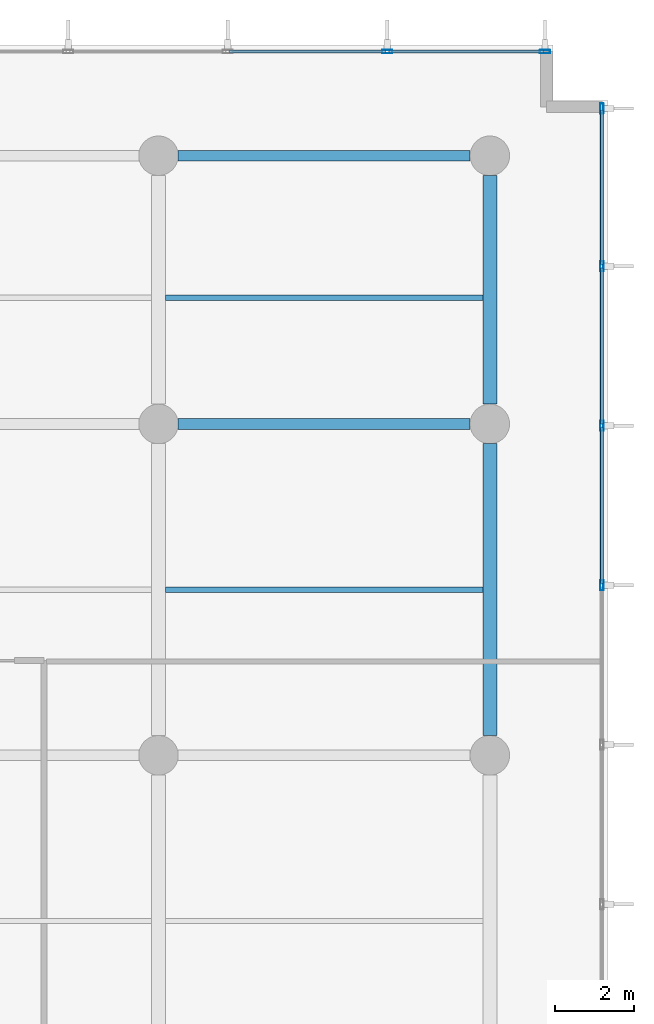
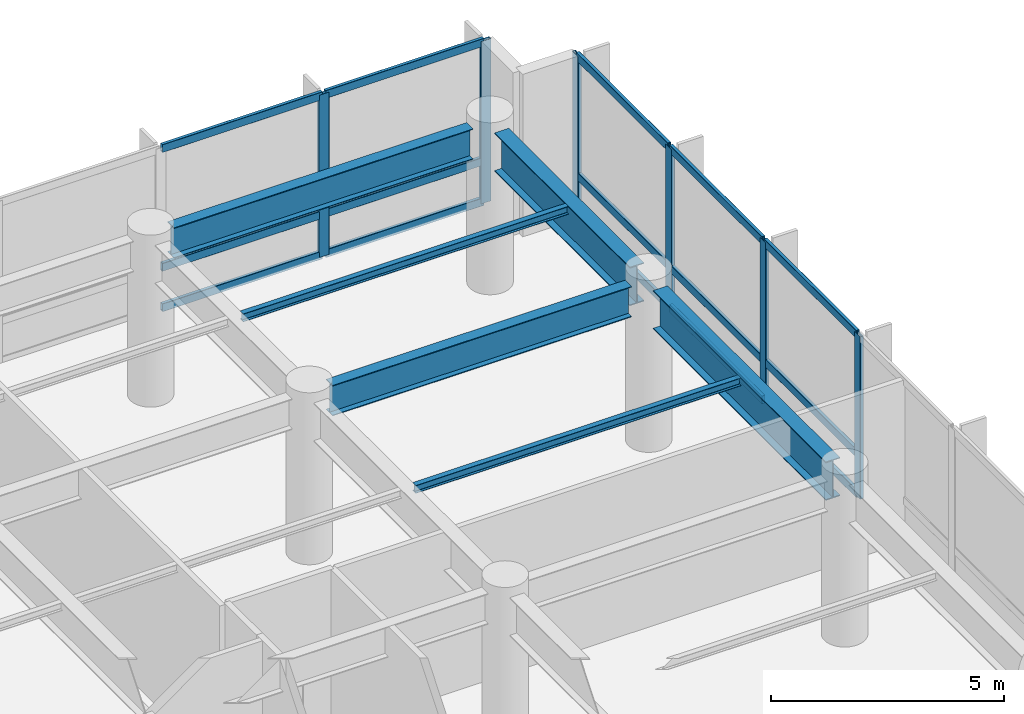
# One storey, part 12 of 26: 21 members, 6 beams, 2 elements without a shape of their own.
"""IFC4 building model written with IfcOpenShell, lengths in metres."""

from ifc_helpers import new_model, si_unit, direction, frame, origin, origin_2d, place, context, subcontext, project, spatial, hollow_rectangle, i_section, extrude, material, layer, layer_set, material_profile, profile_set, type_object, element, aggregate, save


model = new_model("IFC4")

# Units and contexts
model_context = context("Model", 3, precision=1e-05, world=origin(), true_north=direction((0.0, 1.0)))
body_context = subcontext(model_context, "Body", "Model", "MODEL_VIEW")
ifc_project = project(units=[si_unit("LENGTHUNIT", "METRE"), si_unit("AREAUNIT", "SQUARE_METRE"), si_unit("VOLUMEUNIT", "CUBIC_METRE"), si_unit("PLANEANGLEUNIT", "RADIAN"), si_unit("MASSUNIT", "GRAM", prefix="KILO")], contexts=[model_context])

# Site, building, storey
site_placement = place(None, origin())
site = spatial("IfcSite", under=ifc_project, at=site_placement, CompositionType="ELEMENT")
building_placement = place(site_placement, origin())
building = spatial("IfcBuilding", under=site, at=building_placement, Name="Varnakote Quay Hospital", CompositionType="ELEMENT")
storey_placement = place(building_placement, frame((0.0, 0.0, 13.5)))
storey = spatial("IfcBuildingStorey", under=building, at=storey_placement, Name="L03", CompositionType="ELEMENT", Elevation=13.5)

# Beams
ifc_material_1 = material(Name="Structural steel AS/NZS 3678 Grade 350 (fy 340 MPa)", Category="steel")
ifc_material_profile_1 = material_profile(ifc_material_1, i_section(OverallWidth=0.35009765625, OverallDepth=1.010009765625, WebThickness=0.01611328125, FlangeThickness=0.02490234375, at=origin_2d()), Name="1000WB258")
ifc_profile_set_1 = profile_set([ifc_material_profile_1], Name="Structural steel AS/NZS 3678 Grade 350 (fy 340 MPa)")
beam_type_1 = type_object("IfcBeamType", Name="BM-STL-1000WB258", PredefinedType="BEAM", material=ifc_profile_set_1)
beam_1_placement = place(storey_placement, frame((84.0, 29.300048828125, 3.7451171875), z_axis=(0.0, 1.0, 0.0), x_axis=(-1.0, 0.0, 0.0)))
element("IfcBeam", 1, at=beam_1_placement, inside=storey, type_object=beam_type_1, Name="L03 Primary Tie Beam", PredefinedType="BEAM", context=body_context, shape_type="SweptSolid", body=[
    extrude(i_section(OverallWidth=0.35009765625, OverallDepth=1.010009765625, WebThickness=0.01611328125, FlangeThickness=0.02490234375, at=origin_2d()), origin(), (0.0, 0.0, 1.0), 7.39990234375),
])
beam_2_placement = place(storey_placement, frame((84.0, 37.699951171875, 3.7451171875), z_axis=(0.0, 1.0, 0.0), x_axis=(-1.0, 0.0, 0.0)))
element("IfcBeam", 2, at=beam_2_placement, inside=storey, type_object=beam_type_1, Name="L03 Primary Tie Beam", PredefinedType="BEAM", context=body_context, shape_type="SweptSolid", body=[
    extrude(i_section(OverallWidth=0.35009765625, OverallDepth=1.010009765625, WebThickness=0.01611328125, FlangeThickness=0.02490234375, at=origin_2d()), origin(), (0.0, 0.0, 1.0), 5.800048828125),
])
ifc_material_2 = material(Name="Structural steel AS/NZS 3678 Grade 350 (fy 340 MPa)", Category="steel")
ifc_material_profile_2 = material_profile(ifc_material_2, i_section(OverallWidth=0.27490234375, OverallDepth=0.800048828125, WebThickness=0.010009765625, FlangeThickness=0.02001953125, at=origin_2d()), Name="800WB146")
ifc_profile_set_2 = profile_set([ifc_material_profile_2], Name="Structural steel AS/NZS 3678 Grade 350 (fy 340 MPa)")
beam_type_2 = type_object("IfcBeamType", Name="BM-STL-800WB146", PredefinedType="BEAM", material=ifc_profile_set_2)
for number, where, z_axis, x_axis, name in (
    (3, (76.10009765625, 37.199951171875, 3.85009765625), (1.0, 0.0, 0.0), (0.0, 1.0, 0.0), "L03 Primary Floor Beam"),
    (4, (76.10009765625, 44.0, 3.85009765625), (1.0, 0.0, 0.0), (0.0, 1.0, 0.0), "L03 Primary Floor Beam"),
):
    element("IfcBeam", number, at=place(storey_placement, frame(where, z_axis=z_axis, x_axis=x_axis)), inside=storey, type_object=beam_type_2, Name=name, PredefinedType="BEAM", context=body_context, shape_type="SweptSolid", body=[
        extrude(i_section(OverallWidth=0.27490234375, OverallDepth=0.800048828125, WebThickness=0.010009765625, FlangeThickness=0.02001953125, at=origin_2d()), origin(), (0.0, 0.0, 1.0), 7.39990234375),
    ])

# Curtain wall, members
ifc_material_3 = material(Name="Anodised aluminium 6063-T6 Bronze", Category="aluminium")
ifc_layer = layer(ifc_material_3, 0.175048828125)
ifc_layer_set = layer_set([ifc_layer], Name="Anodised aluminium 6063-T6 Bronze")
curtain_wall_type = type_object("IfcCurtainWallType", Name="CW-SYS-1", PredefinedType="NOTDEFINED", material=ifc_layer_set)
curtain_wall_1_placement = place(storey_placement, origin())
curtain_wall_1 = element("IfcCurtainWall", 5, at=curtain_wall_1_placement, inside=storey, type_object=curtain_wall_type, Name="L03 Unitised Bronze Curtain Wall 1", PredefinedType="NOTDEFINED")
ifc_material_4 = material(Name="Anodised aluminium 6063-T6 Bronze", Category="aluminium")
ifc_material_profile_3 = material_profile(ifc_material_4, hollow_rectangle(XDim=0.0849609375, YDim=0.260009765625, WallThickness=0.0048828125, InnerFilletRadius=0.0048828125, OuterFilletRadius=0.010009765625, at=origin_2d()), Name="CW-MULL-260x85")
ifc_profile_set_3 = profile_set([ifc_material_profile_3], Name="Anodised aluminium 6063-T6 Bronze")
member_type_1 = type_object("IfcMemberType", Name="CW-MULL-260x85", PredefinedType="MULLION", material=ifc_profile_set_3)
member_1_placement = place(storey_placement, frame((86.840087890625, 33.109130859375, 0.0), z_axis=(0.0, 0.0, 1.0), x_axis=(-1.0, 0.0, 0.0)))
member_1 = element("IfcMember", 6, at=member_1_placement, type_object=member_type_1, Name="-1-L03-1 mullion 9", PredefinedType="MULLION", context=body_context, shape_type="SweptSolid", body=[
    extrude(hollow_rectangle(XDim=0.0849609375, YDim=0.260009765625, WallThickness=0.0048828125, InnerFilletRadius=0.0048828125, OuterFilletRadius=0.010009765625, at=origin_2d()), origin(), (0.0, 0.0, 1.0), 4.25),
])
member_2_placement = place(storey_placement, frame((86.840087890625, 37.15283203125, 0.0), z_axis=(0.0, 0.0, 1.0), x_axis=(-1.0, 0.0, 0.0)))
member_2 = element("IfcMember", 7, at=member_2_placement, type_object=member_type_1, Name="-1-L03-1 mullion 10", PredefinedType="MULLION", context=body_context, shape_type="SweptSolid", body=[
    extrude(hollow_rectangle(XDim=0.0849609375, YDim=0.260009765625, WallThickness=0.0048828125, InnerFilletRadius=0.0048828125, OuterFilletRadius=0.010009765625, at=origin_2d()), origin(), (0.0, 0.0, 1.0), 4.25),
])
member_3_placement = place(storey_placement, frame((86.840087890625, 41.1962890625, 0.0), z_axis=(0.0, 0.0, 1.0), x_axis=(-1.0, 0.0, 0.0)))
member_3 = element("IfcMember", 8, at=member_3_placement, type_object=member_type_1, Name="-1-L03-1 mullion 11", PredefinedType="MULLION", context=body_context, shape_type="SweptSolid", body=[
    extrude(hollow_rectangle(XDim=0.0849609375, YDim=0.260009765625, WallThickness=0.0048828125, InnerFilletRadius=0.0048828125, OuterFilletRadius=0.010009765625, at=origin_2d()), origin(), (0.0, 0.0, 1.0), 4.25),
])
member_4_placement = place(storey_placement, frame((86.840087890625, 45.197509765625, 0.0), z_axis=(0.0, 0.0, 1.0), x_axis=(-1.0, 0.0, 0.0)))
member_4 = element("IfcMember", 9, at=member_4_placement, type_object=member_type_1, Name="-1-L03-1 mullion 12", PredefinedType="MULLION", context=body_context, shape_type="SweptSolid", body=[
    extrude(hollow_rectangle(XDim=0.0849609375, YDim=0.260009765625, WallThickness=0.0048828125, InnerFilletRadius=0.0048828125, OuterFilletRadius=0.010009765625, at=origin_2d()), origin(), (0.0, 0.0, 1.0), 4.25),
])

curtain_wall_2_placement = place(storey_placement, origin())
curtain_wall_2 = element("IfcCurtainWall", 10, at=curtain_wall_2_placement, inside=storey, type_object=curtain_wall_type, Name="L03 Unitised Bronze Curtain Wall 2", PredefinedType="NOTDEFINED")
member_5_placement = place(storey_placement, frame((85.3974609375, 46.639892578125, 0.0), z_axis=(0.0, 0.0, 1.0), x_axis=(0.0, -1.0, 0.0)))
member_5 = element("IfcMember", 11, at=member_5_placement, type_object=member_type_1, Name="-1-L03-2 mullion 1", PredefinedType="MULLION", context=body_context, shape_type="SweptSolid", body=[
    extrude(hollow_rectangle(XDim=0.0849609375, YDim=0.260009765625, WallThickness=0.0048828125, InnerFilletRadius=0.0048828125, OuterFilletRadius=0.010009765625, at=origin_2d()), origin(), (0.0, 0.0, 1.0), 4.25),
])
member_6_placement = place(storey_placement, frame((81.396484375, 46.639892578125, 0.0), z_axis=(0.0, 0.0, 1.0), x_axis=(0.0, -1.0, 0.0)))
member_6 = element("IfcMember", 12, at=member_6_placement, type_object=member_type_1, Name="-1-L03-2 mullion 2", PredefinedType="MULLION", context=body_context, shape_type="SweptSolid", body=[
    extrude(hollow_rectangle(XDim=0.0849609375, YDim=0.260009765625, WallThickness=0.0048828125, InnerFilletRadius=0.0048828125, OuterFilletRadius=0.010009765625, at=origin_2d()), origin(), (0.0, 0.0, 1.0), 4.25),
])

# Member
ifc_material_5 = material(Name="Anodised aluminium 6063-T6 Bronze", Category="aluminium")
ifc_material_profile_4 = material_profile(ifc_material_5, hollow_rectangle(XDim=0.0849609375, YDim=0.2099609375, WallThickness=0.00439453125, InnerFilletRadius=0.00439453125, OuterFilletRadius=0.009033203125, at=origin_2d()), Name="CW-TRAN-210x85")
ifc_profile_set_4 = profile_set([ifc_material_profile_4], Name="Anodised aluminium 6063-T6 Bronze")
member_type_2 = type_object("IfcMemberType", Name="CW-TRAN-210x85", PredefinedType="USERDEFINED", material=ifc_profile_set_4)
member_7_placement = place(storey_placement, frame((86.840087890625, 33.151611328125, 0.04248046875), z_axis=(0.0, 1.0, 0.0), x_axis=(-1.0, 0.0, 0.0)))
member_7 = element("IfcMember", 13, at=member_7_placement, type_object=member_type_2, Name="-1-L03-1 transom 9.1", ObjectType="TRANSOM", PredefinedType="USERDEFINED", context=body_context, shape_type="SweptSolid", body=[
    extrude(hollow_rectangle(XDim=0.0849609375, YDim=0.2099609375, WallThickness=0.00439453125, InnerFilletRadius=0.00439453125, OuterFilletRadius=0.009033203125, at=origin_2d()), origin(), (0.0, 0.0, 1.0), 3.95849609375),
])

member_8_placement = place(storey_placement, frame((86.840087890625, 33.151611328125, 1.10009765625), z_axis=(0.0, 1.0, 0.0), x_axis=(-1.0, 0.0, 0.0)))
member_8 = element("IfcMember", 14, at=member_8_placement, type_object=member_type_2, Name="-1-L03-1 transom 9.2", ObjectType="TRANSOM", PredefinedType="USERDEFINED", context=body_context, shape_type="SweptSolid", body=[
    extrude(hollow_rectangle(XDim=0.0849609375, YDim=0.2099609375, WallThickness=0.00439453125, InnerFilletRadius=0.00439453125, OuterFilletRadius=0.009033203125, at=origin_2d()), origin(), (0.0, 0.0, 1.0), 3.95849609375),
])

member_9_placement = place(storey_placement, frame((86.840087890625, 33.151611328125, 4.20751953125), z_axis=(0.0, 1.0, 0.0), x_axis=(-1.0, 0.0, 0.0)))
member_9 = element("IfcMember", 15, at=member_9_placement, type_object=member_type_2, Name="-1-L03-1 transom 9.3", ObjectType="TRANSOM", PredefinedType="USERDEFINED", context=body_context, shape_type="SweptSolid", body=[
    extrude(hollow_rectangle(XDim=0.0849609375, YDim=0.2099609375, WallThickness=0.00439453125, InnerFilletRadius=0.00439453125, OuterFilletRadius=0.009033203125, at=origin_2d()), origin(), (0.0, 0.0, 1.0), 3.95849609375),
])

member_10_placement = place(storey_placement, frame((86.840087890625, 37.1953125, 0.04248046875), z_axis=(0.0, 1.0, 0.0), x_axis=(-1.0, 0.0, 0.0)))
member_10 = element("IfcMember", 16, at=member_10_placement, type_object=member_type_2, Name="-1-L03-1 transom 10.1", ObjectType="TRANSOM", PredefinedType="USERDEFINED", context=body_context, shape_type="SweptSolid", body=[
    extrude(hollow_rectangle(XDim=0.0849609375, YDim=0.2099609375, WallThickness=0.00439453125, InnerFilletRadius=0.00439453125, OuterFilletRadius=0.009033203125, at=origin_2d()), origin(), (0.0, 0.0, 1.0), 3.95849609375),
])

member_11_placement = place(storey_placement, frame((86.840087890625, 37.1953125, 1.10009765625), z_axis=(0.0, 1.0, 0.0), x_axis=(-1.0, 0.0, 0.0)))
member_11 = element("IfcMember", 17, at=member_11_placement, type_object=member_type_2, Name="-1-L03-1 transom 10.2", ObjectType="TRANSOM", PredefinedType="USERDEFINED", context=body_context, shape_type="SweptSolid", body=[
    extrude(hollow_rectangle(XDim=0.0849609375, YDim=0.2099609375, WallThickness=0.00439453125, InnerFilletRadius=0.00439453125, OuterFilletRadius=0.009033203125, at=origin_2d()), origin(), (0.0, 0.0, 1.0), 3.95849609375),
])

member_12_placement = place(storey_placement, frame((86.840087890625, 37.1953125, 4.20751953125), z_axis=(0.0, 1.0, 0.0), x_axis=(-1.0, 0.0, 0.0)))
member_12 = element("IfcMember", 18, at=member_12_placement, type_object=member_type_2, Name="-1-L03-1 transom 10.3", ObjectType="TRANSOM", PredefinedType="USERDEFINED", context=body_context, shape_type="SweptSolid", body=[
    extrude(hollow_rectangle(XDim=0.0849609375, YDim=0.2099609375, WallThickness=0.00439453125, InnerFilletRadius=0.00439453125, OuterFilletRadius=0.009033203125, at=origin_2d()), origin(), (0.0, 0.0, 1.0), 3.95849609375),
])

member_13_placement = place(storey_placement, frame((86.840087890625, 41.23876953125, 0.04248046875), z_axis=(0.0, 1.0, 0.0), x_axis=(-1.0, 0.0, 0.0)))
member_13 = element("IfcMember", 19, at=member_13_placement, type_object=member_type_2, Name="-1-L03-1 transom 11.1", ObjectType="TRANSOM", PredefinedType="USERDEFINED", context=body_context, shape_type="SweptSolid", body=[
    extrude(hollow_rectangle(XDim=0.0849609375, YDim=0.2099609375, WallThickness=0.00439453125, InnerFilletRadius=0.00439453125, OuterFilletRadius=0.009033203125, at=origin_2d()), origin(), (0.0, 0.0, 1.0), 3.916259765625),
])

member_14_placement = place(storey_placement, frame((86.840087890625, 41.23876953125, 1.10009765625), z_axis=(0.0, 1.0, 0.0), x_axis=(-1.0, 0.0, 0.0)))
member_14 = element("IfcMember", 20, at=member_14_placement, type_object=member_type_2, Name="-1-L03-1 transom 11.2", ObjectType="TRANSOM", PredefinedType="USERDEFINED", context=body_context, shape_type="SweptSolid", body=[
    extrude(hollow_rectangle(XDim=0.0849609375, YDim=0.2099609375, WallThickness=0.00439453125, InnerFilletRadius=0.00439453125, OuterFilletRadius=0.009033203125, at=origin_2d()), origin(), (0.0, 0.0, 1.0), 3.916259765625),
])

member_15_placement = place(storey_placement, frame((86.840087890625, 41.23876953125, 4.20751953125), z_axis=(0.0, 1.0, 0.0), x_axis=(-1.0, 0.0, 0.0)))
member_15 = element("IfcMember", 21, at=member_15_placement, type_object=member_type_2, Name="-1-L03-1 transom 11.3", ObjectType="TRANSOM", PredefinedType="USERDEFINED", context=body_context, shape_type="SweptSolid", body=[
    extrude(hollow_rectangle(XDim=0.0849609375, YDim=0.2099609375, WallThickness=0.00439453125, InnerFilletRadius=0.00439453125, OuterFilletRadius=0.009033203125, at=origin_2d()), origin(), (0.0, 0.0, 1.0), 3.916259765625),
])

aggregate(curtain_wall_1, [member_1, member_2, member_3, member_4, member_7, member_8, member_9, member_10, member_11, member_12, member_13, member_14, member_15])

member_16_placement = place(storey_placement, frame((85.35498046875, 46.639892578125, 0.04248046875), z_axis=(-1.0, 0.0, 0.0), x_axis=(0.0, -1.0, 0.0)))
member_16 = element("IfcMember", 22, at=member_16_placement, type_object=member_type_2, Name="-1-L03-2 transom 1.1", ObjectType="TRANSOM", PredefinedType="USERDEFINED", context=body_context, shape_type="SweptSolid", body=[
    extrude(hollow_rectangle(XDim=0.0849609375, YDim=0.2099609375, WallThickness=0.00439453125, InnerFilletRadius=0.00439453125, OuterFilletRadius=0.009033203125, at=origin_2d()), origin(), (0.0, 0.0, 1.0), 3.916015625),
])

member_17_placement = place(storey_placement, frame((85.35498046875, 46.639892578125, 1.10009765625), z_axis=(-1.0, 0.0, 0.0), x_axis=(0.0, -1.0, 0.0)))
member_17 = element("IfcMember", 23, at=member_17_placement, type_object=member_type_2, Name="-1-L03-2 transom 1.2", ObjectType="TRANSOM", PredefinedType="USERDEFINED", context=body_context, shape_type="SweptSolid", body=[
    extrude(hollow_rectangle(XDim=0.0849609375, YDim=0.2099609375, WallThickness=0.00439453125, InnerFilletRadius=0.00439453125, OuterFilletRadius=0.009033203125, at=origin_2d()), origin(), (0.0, 0.0, 1.0), 3.916015625),
])

member_18_placement = place(storey_placement, frame((85.35498046875, 46.639892578125, 4.20751953125), z_axis=(-1.0, 0.0, 0.0), x_axis=(0.0, -1.0, 0.0)))
member_18 = element("IfcMember", 24, at=member_18_placement, type_object=member_type_2, Name="-1-L03-2 transom 1.3", ObjectType="TRANSOM", PredefinedType="USERDEFINED", context=body_context, shape_type="SweptSolid", body=[
    extrude(hollow_rectangle(XDim=0.0849609375, YDim=0.2099609375, WallThickness=0.00439453125, InnerFilletRadius=0.00439453125, OuterFilletRadius=0.009033203125, at=origin_2d()), origin(), (0.0, 0.0, 1.0), 3.916015625),
])

member_19_placement = place(storey_placement, frame((81.35400390625, 46.639892578125, 0.04248046875), z_axis=(-1.0, 0.0, 0.0), x_axis=(0.0, -1.0, 0.0)))
member_19 = element("IfcMember", 25, at=member_19_placement, type_object=member_type_2, Name="-1-L03-2 transom 2.1", ObjectType="TRANSOM", PredefinedType="USERDEFINED", context=body_context, shape_type="SweptSolid", body=[
    extrude(hollow_rectangle(XDim=0.0849609375, YDim=0.2099609375, WallThickness=0.00439453125, InnerFilletRadius=0.00439453125, OuterFilletRadius=0.009033203125, at=origin_2d()), origin(), (0.0, 0.0, 1.0), 3.95849609375),
])

member_20_placement = place(storey_placement, frame((81.35400390625, 46.639892578125, 1.10009765625), z_axis=(-1.0, 0.0, 0.0), x_axis=(0.0, -1.0, 0.0)))
member_20 = element("IfcMember", 26, at=member_20_placement, type_object=member_type_2, Name="-1-L03-2 transom 2.2", ObjectType="TRANSOM", PredefinedType="USERDEFINED", context=body_context, shape_type="SweptSolid", body=[
    extrude(hollow_rectangle(XDim=0.0849609375, YDim=0.2099609375, WallThickness=0.00439453125, InnerFilletRadius=0.00439453125, OuterFilletRadius=0.009033203125, at=origin_2d()), origin(), (0.0, 0.0, 1.0), 3.95849609375),
])

member_21_placement = place(storey_placement, frame((81.35400390625, 46.639892578125, 4.20751953125), z_axis=(-1.0, 0.0, 0.0), x_axis=(0.0, -1.0, 0.0)))
member_21 = element("IfcMember", 27, at=member_21_placement, type_object=member_type_2, Name="-1-L03-2 transom 2.3", ObjectType="TRANSOM", PredefinedType="USERDEFINED", context=body_context, shape_type="SweptSolid", body=[
    extrude(hollow_rectangle(XDim=0.0849609375, YDim=0.2099609375, WallThickness=0.00439453125, InnerFilletRadius=0.00439453125, OuterFilletRadius=0.009033203125, at=origin_2d()), origin(), (0.0, 0.0, 1.0), 3.95849609375),
])

aggregate(curtain_wall_2, [member_5, member_6, member_16, member_17, member_18, member_19, member_20, member_21])

# Beams
ifc_material_6 = material(Name="Structural steel AS/NZS 3679.1 Grade 350 L0 (fy 340 MPa)", Category="steel")
ifc_material_profile_5 = material_profile(ifc_material_6, i_section(OverallWidth=0.134033203125, OverallDepth=0.20703125, WebThickness=0.00634765625, FlangeThickness=0.009521484375, FilletRadius=0.0087890625, at=origin_2d()), Name="200UB29.8")
ifc_profile_set_5 = profile_set([ifc_material_profile_5], Name="Structural steel AS/NZS 3679.1 Grade 350 L0 (fy 340 MPa)")
beam_type_3 = type_object("IfcBeamType", Name="JST-STL-200UB29-8", PredefinedType="JOIST", material=ifc_profile_set_5)
for number, where, z_axis, x_axis, name in (
    (28, (75.77490234375, 33.0, 4.146484375), (1.0, 0.0, 0.0), (0.0, 1.0, 0.0), "L03 Composite Floor Joist"),
    (29, (75.77490234375, 40.39990234375, 4.146484375), (1.0, 0.0, 0.0), (0.0, 1.0, 0.0), "L03 Composite Floor Joist"),
):
    element("IfcBeam", number, at=place(storey_placement, frame(where, z_axis=z_axis, x_axis=x_axis)), inside=storey, type_object=beam_type_3, Name=name, PredefinedType="JOIST", context=body_context, shape_type="SweptSolid", body=[
        extrude(i_section(OverallWidth=0.134033203125, OverallDepth=0.20703125, WebThickness=0.00634765625, FlangeThickness=0.009521484375, FilletRadius=0.0087890625, at=origin_2d()), origin(), (0.0, 0.0, 1.0), 8.050048828125),
    ])

save(model, "model.ifc")
